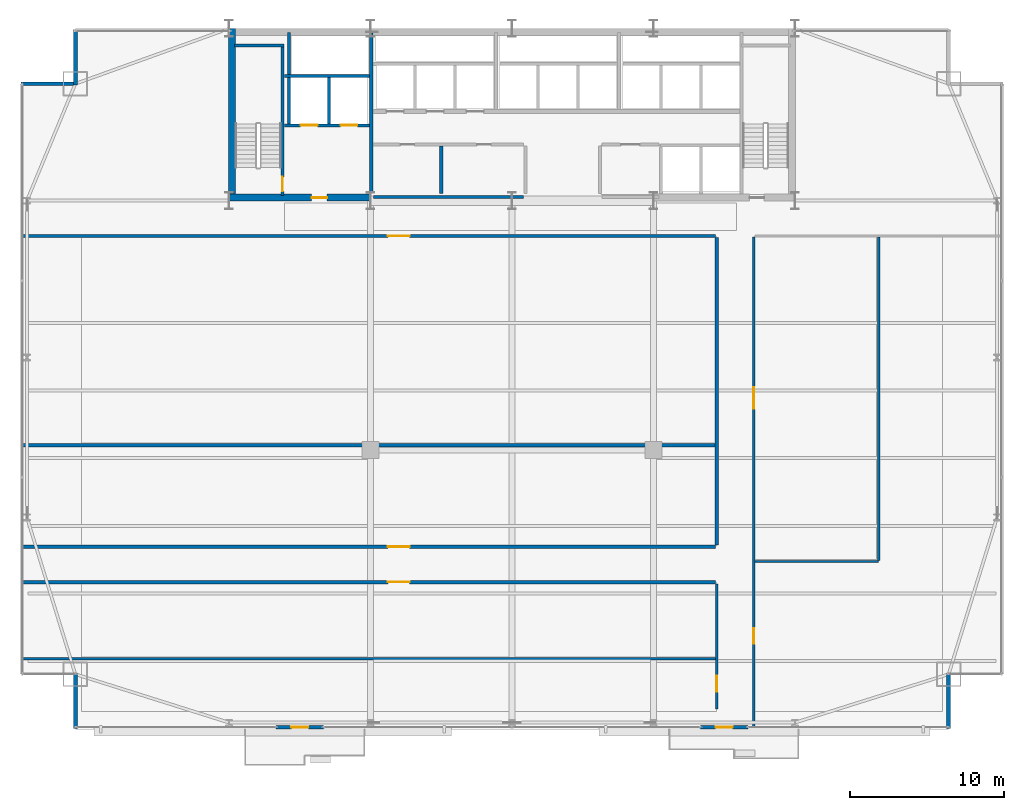
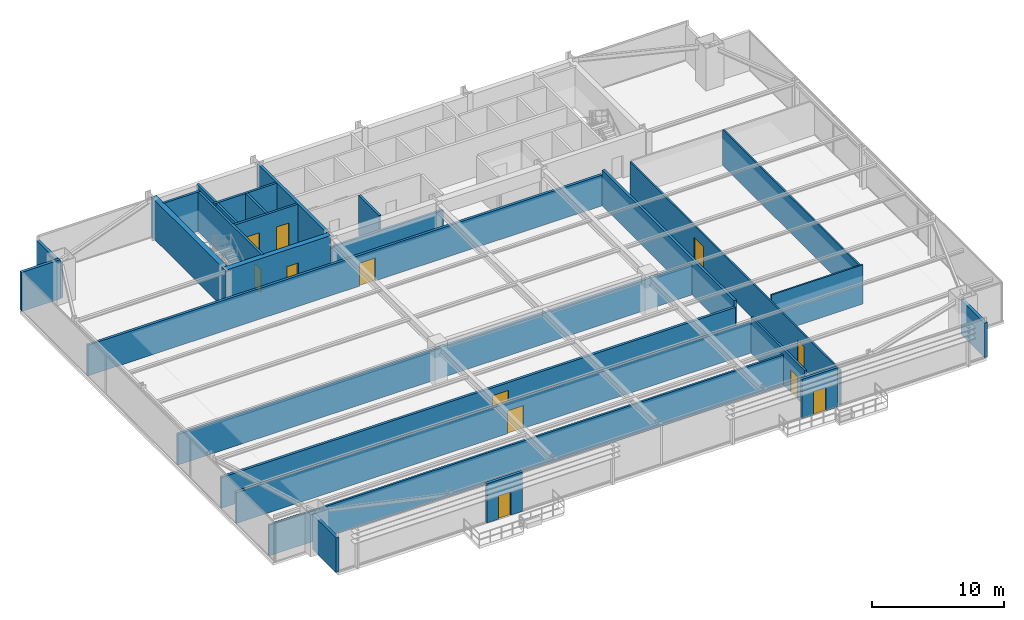
# One storey, part 27 of 31: 27 walls, 12 doors, 12 openings.
"""IFC4 building model written with IfcOpenShell, lengths in metres."""

from ifc_helpers import new_model, si_unit, direction, frame, frame_2d, origin, place, context, subcontext, project, spatial, rectangle, extrude, source, transform, mapped, material, layer, layer_set, type_object, type_shapes, element, fill, save


model = new_model("IFC4")

# Units and contexts
model_context = context("Model", 3, precision=1e-05, world=origin(), true_north=direction((0.0, 1.0)))
body_context = subcontext(model_context, "Body", "Model", "MODEL_VIEW")
ifc_project = project(units=[si_unit("LENGTHUNIT", "METRE"), si_unit("AREAUNIT", "SQUARE_METRE"), si_unit("VOLUMEUNIT", "CUBIC_METRE"), si_unit("PLANEANGLEUNIT", "RADIAN"), si_unit("MASSUNIT", "GRAM", prefix="KILO")], contexts=[model_context])

# Site, building, storey
site_placement = place(None, origin())
site = spatial("IfcSite", under=ifc_project, at=site_placement, CompositionType="ELEMENT")
building_placement = place(site_placement, origin())
building = spatial("IfcBuilding", under=site, at=building_placement, Name="Varnel Quay Broadcast Tower", CompositionType="ELEMENT")
storey_placement = place(building_placement, frame((0.0, 0.0, 39.300048828125)))
storey = spatial("IfcBuildingStorey", under=building, at=storey_placement, Name="L08", CompositionType="ELEMENT", Elevation=39.300048828125)

# Wall, opening, door
ifc_material_1 = material(Name="Concrete CSA A23.3 C50/60", Category="concrete")
ifc_layer_1 = layer(ifc_material_1, 0.199951171875, Name="Concrete CSA A23.3 C50/60")
ifc_layer_set_1 = layer_set([ifc_layer_1], Name="Concrete CSA A23.3 C50/60")
wall_type_1 = type_object("IfcWallType", Name="Wall_CoreShaftShear200", PredefinedType="SHEAR", material=ifc_layer_set_1)
wall_1_placement = place(storey_placement, frame((19.080078125, 35.949951171875, 0.0), z_axis=(0.0, 0.0, 1.0), x_axis=(0.0, 1.0, 0.0)))
wall_1 = element("IfcWall", 1, at=wall_1_placement, inside=storey, type_object=wall_type_1, Name="L08 Stair 1 East Structural Wall", PredefinedType="SHEAR", context=body_context, shape_type="SweptSolid", body=[
    extrude(rectangle(XDim=9.650146484375, YDim=0.199951171875, at=frame_2d((4.8251953125, 0.0))), origin(), (0.0, 0.0, 1.0), 3.64990234375),
])
opening_1_placement = place(wall_1_placement, frame((0.25, 0.0, 0.0)))
opening_1 = element("IfcOpeningElement", 2, at=opening_1_placement, cuts=wall_1, Name="Opening D-L08-S1", PredefinedType="OPENING", context=body_context, shape_type="SweptSolid", body=[
    extrude(rectangle(XDim=0.949951171875, YDim=2.10009765625, at=frame_2d((0.47509765625, 1.050048828125))), frame((0.0, 0.10986328125, 0.0), z_axis=(0.0, -1.0, 0.0), x_axis=(1.0, 0.0, 0.0)), (0.0, 0.0, 1.0), 0.219970703125),
])
ifc_material_2 = material(Name="Insulated Fire-Rated Hollow Steel Door", Category="steel")
door_type_1 = type_object("IfcDoorType", Name="Door_FireStair950", OperationType="NOTDEFINED", PredefinedType="DOOR", material=ifc_material_2)
shared_shape_1 = source(origin(), body_context, "Body", "SweptSolid", [
    extrude(rectangle(XDim=0.949951171875, YDim=2.10009765625, at=frame_2d((0.47509765625, 1.050048828125))), frame((0.0, 0.02490234375, 0.0), z_axis=(0.0, -1.0, 0.0), x_axis=(1.0, 0.0, 0.0)), (0.0, 0.0, 1.0), 0.050048828125),
])
type_shapes(door_type_1, [shared_shape_1])
door_1_placement = place(opening_1_placement, origin())
door_1 = element("IfcDoor", 3, at=door_1_placement, inside=storey, type_object=door_type_1, Name="L08 Stair 1 Fire Door", OperationType="SINGLE_SWING_RIGHT", OverallHeight=2.10009765625, OverallWidth=0.949951171875, PredefinedType="DOOR", context=body_context, shape_type="MappedRepresentation", body=[
    mapped(shared_shape_1, transform((0.0, 0.0, 0.0), x_axis=(1.0, 0.0, 0.0), y_axis=(0.0, 1.0, 0.0), z_axis=(0.0, 0.0, 1.0), scale=1.0)),
])
fill(opening_1, door_1)

# Wall
wall_2_placement = place(storey_placement, frame((15.949951171875, 45.679931640625, 0.0), z_axis=(0.0, 0.0, 1.0), x_axis=(1.0, 0.0, 0.0)))
element("IfcWall", 4, at=wall_2_placement, inside=storey, type_object=wall_type_1, Name="L08 Stair 1 North Structural Wall", PredefinedType="SHEAR", context=body_context, shape_type="SweptSolid", body=[
    extrude(rectangle(XDim=3.22998046875, YDim=0.199951171875, at=frame_2d((1.614990234375, 0.0))), origin(), (0.0, 0.0, 1.0), 3.64990234375),
])

# Wall, openings, doors
wall_3_placement = place(storey_placement, frame((19.199951171875, 40.5, 0.0), z_axis=(0.0, 0.0, 1.0), x_axis=(1.0, 0.0, 0.0)))
wall_3 = element("IfcWall", 5, at=wall_3_placement, inside=storey, type_object=wall_type_1, Name="L08 Firefighter Lift Shaft Front Wall", PredefinedType="SHEAR", context=body_context, shape_type="SweptSolid", body=[
    extrude(rectangle(XDim=5.52001953125, YDim=0.199951171875, at=frame_2d((2.760009765625, 0.0))), origin(), (0.0, 0.0, 1.0), 3.64990234375),
])
opening_2_placement = place(wall_3_placement, frame((1.050048828125, 0.0, 0.0)))
opening_2 = element("IfcOpeningElement", 6, at=opening_2_placement, cuts=wall_3, Name="Opening LD-L08-FE1", PredefinedType="OPENING", context=body_context, shape_type="SweptSolid", body=[
    extrude(rectangle(XDim=1.10009765625, YDim=2.179931640625, at=frame_2d((0.550048828125, 1.08984375))), frame((0.0, 0.10986328125, 0.0), z_axis=(0.0, -1.0, 0.0), x_axis=(1.0, 0.0, 0.0)), (0.0, 0.0, 1.0), 0.219970703125),
])
opening_3_placement = place(wall_3_placement, frame((3.64990234375, 0.0, 0.0)))
opening_3 = element("IfcOpeningElement", 7, at=opening_3_placement, cuts=wall_3, Name="Opening LD-L08-FE2", PredefinedType="OPENING", context=body_context, shape_type="SweptSolid", body=[
    extrude(rectangle(XDim=1.10009765625, YDim=2.179931640625, at=frame_2d((0.550048828125, 1.08984375))), frame((0.0, 0.10986328125, 0.0), z_axis=(0.0, -1.0, 0.0), x_axis=(1.0, 0.0, 0.0)), (0.0, 0.0, 1.0), 0.219970703125),
])
ifc_material_3 = material(Name="Brushed Bronze-Stainless Lift Car & Sliding Doors", Category="steel")
door_type_2 = type_object("IfcDoorType", Name="Door_LiftLanding1100", OperationType="SLIDING_TO_LEFT", PredefinedType="DOOR", material=ifc_material_3)
shared_shape_2 = source(origin(), body_context, "Body", "SweptSolid", [
    extrude(rectangle(XDim=1.10009765625, YDim=2.179931640625, at=frame_2d((0.550048828125, 1.08984375))), frame((0.0, 0.02490234375, 0.0), z_axis=(0.0, -1.0, 0.0), x_axis=(1.0, 0.0, 0.0)), (0.0, 0.0, 1.0), 0.050048828125),
])
type_shapes(door_type_2, [shared_shape_2])
door_2_placement = place(opening_2_placement, frame((1.10009765625, 0.0, 0.0), z_axis=(0.0, 0.0, 1.0), x_axis=(-1.0, 0.0, 0.0)))
door_2 = element("IfcDoor", 8, at=door_2_placement, inside=storey, type_object=door_type_2, Name="L08 Firefighter Lift FE-01 Landing Door", OperationType="SLIDING_TO_LEFT", OverallHeight=2.179931640625, OverallWidth=1.10009765625, PredefinedType="DOOR", context=body_context, shape_type="MappedRepresentation", body=[
    mapped(shared_shape_2, transform((0.0, 0.0, 0.0), x_axis=(1.0, 0.0, 0.0), y_axis=(0.0, 1.0, 0.0), z_axis=(0.0, 0.0, 1.0), scale=1.0)),
])
fill(opening_2, door_2)
door_3_placement = place(opening_3_placement, frame((1.10009765625, 0.0, 0.0), z_axis=(0.0, 0.0, 1.0), x_axis=(-1.0, 0.0, 0.0)))
door_3 = element("IfcDoor", 9, at=door_3_placement, inside=storey, type_object=door_type_2, Name="L08 Firefighter Lift FE-02 Landing Door", OperationType="SLIDING_TO_RIGHT", OverallHeight=2.179931640625, OverallWidth=1.10009765625, PredefinedType="DOOR", context=body_context, shape_type="MappedRepresentation", body=[
    mapped(shared_shape_2, transform((0.0, 0.0, 0.0), x_axis=(1.0, 0.0, 0.0), y_axis=(0.0, 1.0, 0.0), z_axis=(0.0, 0.0, 1.0), scale=1.0)),
])
fill(opening_3, door_3)

# Walls
wall_4_placement = place(storey_placement, frame((19.199951171875, 43.699951171875, 0.0), z_axis=(0.0, 0.0, 1.0), x_axis=(1.0, 0.0, 0.0)))
element("IfcWall", 10, at=wall_4_placement, inside=storey, type_object=wall_type_1, Name="L08 Firefighter Lift Shaft Rear Wall", PredefinedType="SHEAR", context=body_context, shape_type="SweptSolid", body=[
    extrude(rectangle(XDim=5.52001953125, YDim=0.199951171875, at=frame_2d((2.760009765625, 0.0))), origin(), (0.0, 0.0, 1.0), 3.64990234375),
])
wall_5_placement = place(storey_placement, frame((22.10009765625, 40.60009765625, 0.0), z_axis=(0.0, 0.0, 1.0), x_axis=(0.0, 1.0, 0.0)))
element("IfcWall", 11, at=wall_5_placement, inside=storey, type_object=wall_type_1, Name="L08 Firefighter Lift Shaft Divider", PredefinedType="SHEAR", context=body_context, shape_type="SweptSolid", body=[
    extrude(rectangle(XDim=3.0, YDim=0.199951171875, at=frame_2d((1.5, 0.0))), origin(), (0.0, 0.0, 1.0), 3.64990234375),
])
wall_6_placement = place(storey_placement, frame((19.5, 40.60009765625, 0.0), z_axis=(0.0, 0.0, 1.0), x_axis=(0.0, 1.0, 0.0)))
element("IfcWall", 12, at=wall_6_placement, inside=storey, type_object=wall_type_1, Name="L08 Firefighter Lift Shaft West Wall", PredefinedType="SHEAR", context=body_context, shape_type="SweptSolid", body=[
    extrude(rectangle(XDim=5.949951171875, YDim=0.199951171875, at=frame_2d((2.97509765625, 0.0))), origin(), (0.0, 0.0, 1.0), 3.64990234375),
])
ifc_layer_2 = layer(ifc_material_1, 0.25, Name="Concrete CSA A23.3 C50/60")
ifc_layer_set_2 = layer_set([ifc_layer_2], Name="Concrete CSA A23.3 C50/60")
wall_type_2 = type_object("IfcWallType", Name="Wall_CoreShaftShear250", PredefinedType="SHEAR", material=ifc_layer_set_2)
wall_7_placement = place(storey_placement, frame((24.85009765625, 36.050048828125, 0.0), z_axis=(0.0, 0.0, 1.0), x_axis=(0.0, 1.0, 0.0)))
element("IfcWall", 13, at=wall_7_placement, inside=storey, type_object=wall_type_2, Name="L08 Firefighting Lobby East Structural Wall", PredefinedType="SHEAR", context=body_context, shape_type="SweptSolid", body=[
    extrude(rectangle(XDim=10.449951171875, YDim=0.25, at=frame_2d((5.22509765625, 0.0))), origin(), (0.0, 0.0, 1.0), 3.64990234375),
])
ifc_material_4 = material(Name="Concrete CSA A23.3 C60/75", Category="concrete")
ifc_layer_3 = layer(ifc_material_4, 0.449951171875, Name="Concrete CSA A23.3 C60/75")
ifc_layer_set_3 = layer_set([ifc_layer_3], Name="Concrete CSA A23.3 C60/75")
wall_type_3 = type_object("IfcWallType", Name="Wall_CoreShearInt450", PredefinedType="SHEAR", material=ifc_layer_set_3)
wall_8_placement = place(storey_placement, frame((15.794921875, 35.570068359375, 0.0), z_axis=(0.0, 0.0, 1.0), x_axis=(0.0, 1.0, 0.0)))
element("IfcWall", 14, at=wall_8_placement, inside=storey, type_object=wall_type_3, Name="L08 West Core Shear Wall", PredefinedType="SHEAR", context=body_context, shape_type="SweptSolid", body=[
    extrude(rectangle(XDim=11.22998046875, YDim=0.449951171875, at=frame_2d((5.614990234375, 0.0))), origin(), (0.0, 0.0, 1.0), 3.64990234375),
])

# Wall, opening, door
wall_9_placement = place(storey_placement, frame((15.570068359375, 35.794921875, 0.0), z_axis=(0.0, 0.0, 1.0), x_axis=(1.0, 0.0, 0.0)))
wall_9 = element("IfcWall", 15, at=wall_9_placement, inside=storey, type_object=wall_type_3, Name="L08 South-West Core Shear Wall", PredefinedType="SHEAR", context=body_context, shape_type="SweptSolid", body=[
    extrude(rectangle(XDim=9.22998046875, YDim=0.449951171875, at=frame_2d((4.614990234375, 0.0))), origin(), (0.0, 0.0, 1.0), 3.64990234375),
])
opening_4_placement = place(wall_9_placement, frame((5.39990234375, 0.0, 0.0)))
opening_4 = element("IfcOpeningElement", 16, at=opening_4_placement, cuts=wall_9, Name="Opening D-L08-FFL", PredefinedType="OPENING", context=body_context, shape_type="SweptSolid", body=[
    extrude(rectangle(XDim=1.0, YDim=2.10009765625, at=frame_2d((0.5, 1.050048828125))), frame((0.0, 0.23486328125, 0.0), z_axis=(0.0, -1.0, 0.0), x_axis=(1.0, 0.0, 0.0)), (0.0, 0.0, 1.0), 0.469970703125),
])
door_type_3 = type_object("IfcDoorType", Name="Door_FireLobby1000", OperationType="NOTDEFINED", PredefinedType="DOOR", material=ifc_material_2)
shared_shape_3 = source(origin(), body_context, "Body", "SweptSolid", [
    extrude(rectangle(XDim=1.0, YDim=2.10009765625, at=frame_2d((0.5, 1.050048828125))), frame((0.0, 0.02490234375, 0.0), z_axis=(0.0, -1.0, 0.0), x_axis=(1.0, 0.0, 0.0)), (0.0, 0.0, 1.0), 0.050048828125),
])
type_shapes(door_type_3, [shared_shape_3])
door_4_placement = place(opening_4_placement, origin())
door_4 = element("IfcDoor", 17, at=door_4_placement, inside=storey, type_object=door_type_3, Name="L08 Firefighting Lobby Door", OperationType="SINGLE_SWING_LEFT", OverallHeight=2.10009765625, OverallWidth=1.0, PredefinedType="DOOR", context=body_context, shape_type="MappedRepresentation", body=[
    mapped(shared_shape_3, transform((0.0, 0.0, 0.0), x_axis=(1.0, 0.0, 0.0), y_axis=(0.0, 1.0, 0.0), z_axis=(0.0, 0.0, 1.0), scale=1.0)),
])
fill(opening_4, door_4)

ifc_material_5 = material(Name="Precast Architectural Concrete C40/50", Category="concrete")
ifc_layer_4 = layer(ifc_material_5, 0.25, Name="Precast Architectural Concrete C40/50")
ifc_layer_set_4 = layer_set([ifc_layer_4], Name="Precast Architectural Concrete C40/50")
wall_type_4 = type_object("IfcWallType", Name="Wall_ExtTerrace250", PredefinedType="SOLIDWALL", material=ifc_layer_set_4)
wall_10_placement = place(storey_placement, frame((18.64990234375, 1.35009765625, 0.0), z_axis=(0.0, 0.0, 1.0), x_axis=(1.0, 0.0, 0.0)))
wall_10 = element("IfcWall", 18, at=wall_10_placement, inside=storey, type_object=wall_type_4, Name="L08 Terrace Access Wall 1", PredefinedType="SOLIDWALL", context=body_context, shape_type="SweptSolid", body=[
    extrude(rectangle(XDim=3.10009765625, YDim=0.25, at=frame_2d((1.550048828125, 0.0))), origin(), (0.0, 0.0, 1.0), 3.6298828125),
])
opening_5_placement = place(wall_10_placement, frame((1.0, 0.0, 0.0)))
opening_5 = element("IfcOpeningElement", 19, at=opening_5_placement, cuts=wall_10, Name="Opening TD-081", PredefinedType="OPENING", context=body_context, shape_type="SweptSolid", body=[
    extrude(rectangle(XDim=1.10009765625, YDim=2.14990234375, at=frame_2d((0.550048828125, 1.074951171875))), frame((0.0, 0.135009765625, 0.0), z_axis=(0.0, -1.0, 0.0), x_axis=(1.0, 0.0, 0.0)), (0.0, 0.0, 1.0), 0.27001953125),
])
ifc_material_6 = material(Name="Anodised Bronze Aluminium 6063-T6", Category="aluminium")
door_type_4 = type_object("IfcDoorType", Name="Door_ExtTerrace1100", OperationType="NOTDEFINED", PredefinedType="DOOR", material=ifc_material_6)
shared_shape_4 = source(origin(), body_context, "Body", "SweptSolid", [
    extrude(rectangle(XDim=1.10009765625, YDim=2.14990234375, at=frame_2d((0.550048828125, 1.074951171875))), frame((0.0, 0.02490234375, 0.0), z_axis=(0.0, -1.0, 0.0), x_axis=(1.0, 0.0, 0.0)), (0.0, 0.0, 1.0), 0.050048828125),
])
type_shapes(door_type_4, [shared_shape_4])
door_5_placement = place(opening_5_placement, frame((1.10009765625, 0.0, 0.0), z_axis=(0.0, 0.0, 1.0), x_axis=(-1.0, 0.0, 0.0)))
door_5 = element("IfcDoor", 20, at=door_5_placement, inside=storey, type_object=door_type_4, Name="L08 Terrace Door TD-081", OperationType="SINGLE_SWING_LEFT", OverallHeight=2.14990234375, OverallWidth=1.10009765625, PredefinedType="DOOR", context=body_context, shape_type="MappedRepresentation", body=[
    mapped(shared_shape_4, transform((0.0, 0.0, 0.0), x_axis=(1.0, 0.0, 0.0), y_axis=(0.0, 1.0, 0.0), z_axis=(0.0, 0.0, 1.0), scale=1.0)),
])
fill(opening_5, door_5)

wall_11_placement = place(storey_placement, frame((46.25, 1.35009765625, 0.0), z_axis=(0.0, 0.0, 1.0), x_axis=(1.0, 0.0, 0.0)))
wall_11 = element("IfcWall", 21, at=wall_11_placement, inside=storey, type_object=wall_type_4, Name="L08 Terrace Access Wall 2", PredefinedType="SOLIDWALL", context=body_context, shape_type="SweptSolid", body=[
    extrude(rectangle(XDim=3.10009765625, YDim=0.25, at=frame_2d((1.550048828125, 0.0))), origin(), (0.0, 0.0, 1.0), 3.6298828125),
])
opening_6_placement = place(wall_11_placement, frame((1.0, 0.0, 0.0)))
opening_6 = element("IfcOpeningElement", 22, at=opening_6_placement, cuts=wall_11, Name="Opening TD-082", PredefinedType="OPENING", context=body_context, shape_type="SweptSolid", body=[
    extrude(rectangle(XDim=1.10009765625, YDim=2.14990234375, at=frame_2d((0.550048828125, 1.074951171875))), frame((0.0, 0.135009765625, 0.0), z_axis=(0.0, -1.0, 0.0), x_axis=(1.0, 0.0, 0.0)), (0.0, 0.0, 1.0), 0.27001953125),
])
door_6_placement = place(opening_6_placement, frame((1.10009765625, 0.0, 0.0), z_axis=(0.0, 0.0, 1.0), x_axis=(-1.0, 0.0, 0.0)))
door_6 = element("IfcDoor", 23, at=door_6_placement, inside=storey, type_object=door_type_4, Name="L08 Terrace Door TD-082", OperationType="SINGLE_SWING_RIGHT", OverallHeight=2.14990234375, OverallWidth=1.10009765625, PredefinedType="DOOR", context=body_context, shape_type="MappedRepresentation", body=[
    mapped(shared_shape_4, transform((0.0, 0.0, 0.0), x_axis=(1.0, 0.0, 0.0), y_axis=(0.0, 1.0, 0.0), z_axis=(0.0, 0.0, 1.0), scale=1.0)),
])
fill(opening_6, door_6)

# Walls
for number, where, z_axis, x_axis, name in (
    (24, (5.60009765625, 1.280029296875, 0.0), (0.0, 0.0, 1.0), (0.0, 1.0, 0.0), "L08 Mega-Column Notch Cladding Wall NSW2"),
    (25, (62.39990234375, 1.280029296875, 0.0), (0.0, 0.0, 1.0), (0.0, 1.0, 0.0), "L08 Mega-Column Notch Cladding Wall NSE2"),
):
    element("IfcWall", number, at=place(storey_placement, frame(where, z_axis=z_axis, x_axis=x_axis)), inside=storey, type_object=wall_type_4, Name=name, PredefinedType="SOLIDWALL", context=body_context, shape_type="SweptSolid", body=[
        extrude(rectangle(XDim=3.599853515625, YDim=0.25, at=frame_2d((1.7998046875, 0.0))), origin(), (0.0, 0.0, 1.0), 3.2080078125),
    ])
wall_12_placement = place(storey_placement, frame((2.080078125, 43.199951171875, 0.0), z_axis=(0.0, 0.0, 1.0), x_axis=(1.0, 0.0, 0.0)))
element("IfcWall", 26, at=wall_12_placement, inside=storey, type_object=wall_type_4, Name="L08 Mega-Column Notch Cladding Wall NNW1", PredefinedType="SOLIDWALL", context=body_context, shape_type="SweptSolid", body=[
    extrude(rectangle(XDim=3.389892578125, YDim=0.25, at=frame_2d((1.69482421875, 0.0))), origin(), (0.0, 0.0, 1.0), 3.6298828125),
])
wall_13_placement = place(storey_placement, frame((5.60009765625, 43.1201171875, 0.0), z_axis=(0.0, 0.0, 1.0), x_axis=(0.0, 1.0, 0.0)))
element("IfcWall", 27, at=wall_13_placement, inside=storey, type_object=wall_type_4, Name="L08 Mega-Column Notch Cladding Wall NNW2", PredefinedType="SOLIDWALL", context=body_context, shape_type="SweptSolid", body=[
    extrude(rectangle(XDim=3.599853515625, YDim=0.25, at=frame_2d((1.7998046875, 0.0))), origin(), (0.0, 0.0, 1.0), 3.2080078125),
])
ifc_material_7 = material(Name="Steel-Stud Fire-Rated Acoustic Gypsum Partition Assembly", Category="steel")
ifc_layer_5 = layer(ifc_material_7, 0.139892578125, Name="Steel-Stud Fire-Rated Acoustic Gypsum Partition Assembly")
ifc_layer_set_5 = layer_set([ifc_layer_5], Name="Steel-Stud Fire-Rated Acoustic Gypsum Partition Assembly")
wall_type_5 = type_object("IfcWallType", Name="Wall_Partition140", PredefinedType="PARTITIONING", material=ifc_layer_set_5)
wall_14_placement = place(storey_placement, frame((57.85009765625, 12.199951171875, 0.0), z_axis=(0.0, 0.0, 1.0), x_axis=(0.0, 1.0, 0.0)))
element("IfcWall", 28, at=wall_14_placement, inside=storey, type_object=wall_type_5, Name="L08 Talent Lounge 5 Partition 16", PredefinedType="PARTITIONING", context=body_context, shape_type="SweptSolid", body=[
    extrude(rectangle(XDim=21.030029296875, YDim=0.139892578125, at=frame_2d((10.51513671875, 0.0))), origin(), (0.0, 0.0, 1.0), 3.322021484375),
])
wall_15_placement = place(storey_placement, frame((49.820068359375, 12.1298828125, 0.0), z_axis=(0.0, 0.0, 1.0), x_axis=(1.0, 0.0, 0.0)))
element("IfcWall", 29, at=wall_15_placement, inside=storey, type_object=wall_type_5, Name="L08 Talent Lounge 5 Partition 17", PredefinedType="PARTITIONING", context=body_context, shape_type="SweptSolid", body=[
    extrude(rectangle(XDim=8.030029296875, YDim=0.139892578125, at=frame_2d((4.01513671875, 0.0))), origin(), (0.0, 0.0, 1.0), 3.6298828125),
])

# Wall, openings, doors
wall_16_placement = place(storey_placement, frame((49.719970703125, 1.3798828125, 0.0), z_axis=(0.0, 0.0, 1.0), x_axis=(0.0, 1.0, 0.0)))
wall_16 = element("IfcWall", 30, at=wall_16_placement, inside=storey, type_object=wall_type_5, Name="L08 Talent Lounge 5 Partition 18", PredefinedType="PARTITIONING", context=body_context, shape_type="SweptSolid", body=[
    extrude(rectangle(XDim=31.85009765625, YDim=0.139892578125, at=frame_2d((15.925048828125, 0.0))), origin(), (0.0, 0.0, 1.0), 3.2080078125),
])
opening_7_placement = place(wall_16_placement, frame((5.405029296875, 0.0, 0.0)))
opening_7 = element("IfcOpeningElement", 31, at=opening_7_placement, cuts=wall_16, Name="Opening D-L08-08", PredefinedType="OPENING", context=body_context, shape_type="SweptSolid", body=[
    extrude(rectangle(XDim=1.0, YDim=2.10009765625, at=frame_2d((0.5, 1.050048828125))), frame((0.0, 0.080078125, 0.0), z_axis=(0.0, -1.0, 0.0), x_axis=(1.0, 0.0, 0.0)), (0.0, 0.0, 1.0), 0.159912109375),
])
opening_8_placement = place(wall_16_placement, frame((20.68505859375, 0.0, 0.0)))
opening_8 = element("IfcOpeningElement", 32, at=opening_8_placement, cuts=wall_16, Name="Opening D-L08-09", PredefinedType="OPENING", context=body_context, shape_type="SweptSolid", body=[
    extrude(rectangle(XDim=1.39990234375, YDim=2.1201171875, at=frame_2d((0.699951171875, 1.06005859375))), frame((0.0, 0.080078125, 0.0), z_axis=(0.0, -1.0, 0.0), x_axis=(1.0, 0.0, 0.0)), (0.0, 0.0, 1.0), 0.159912109375),
])
ifc_material_8 = material(Name="Solid-Core Fire-Rated Acoustic Oak Veneer Door", Category="wood")
door_type_5 = type_object("IfcDoorType", Name="Door_Exec1000", OperationType="NOTDEFINED", PredefinedType="DOOR", material=ifc_material_8)
shared_shape_5 = source(origin(), body_context, "Body", "SweptSolid", [
    extrude(rectangle(XDim=1.0, YDim=2.10009765625, at=frame_2d((0.5, 1.050048828125))), frame((0.0, 0.02490234375, 0.0), z_axis=(0.0, -1.0, 0.0), x_axis=(1.0, 0.0, 0.0)), (0.0, 0.0, 1.0), 0.050048828125),
])
type_shapes(door_type_5, [shared_shape_5])
door_7_placement = place(opening_7_placement, frame((1.0, 0.0, 0.0), z_axis=(0.0, 0.0, 1.0), x_axis=(-1.0, 0.0, 0.0)))
door_7 = element("IfcDoor", 33, at=door_7_placement, inside=storey, type_object=door_type_5, Name="L08 Talent Lounge 5 Door D-L08-08", OperationType="SINGLE_SWING_LEFT", OverallHeight=2.10009765625, OverallWidth=1.0, PredefinedType="DOOR", context=body_context, shape_type="MappedRepresentation", body=[
    mapped(shared_shape_5, transform((0.0, 0.0, 0.0), x_axis=(1.0, 0.0, 0.0), y_axis=(0.0, 1.0, 0.0), z_axis=(0.0, 0.0, 1.0), scale=1.0)),
])
fill(opening_7, door_7)
door_type_6 = type_object("IfcDoorType", Name="Door_Gallery1400", OperationType="DOUBLE_DOOR_SINGLE_SWING", PredefinedType="DOOR", material=ifc_material_8)
shared_shape_6 = source(origin(), body_context, "Body", "SweptSolid", [
    extrude(rectangle(XDim=1.39990234375, YDim=2.1201171875, at=frame_2d((0.699951171875, 1.06005859375))), frame((0.0, 0.02490234375, 0.0), z_axis=(0.0, -1.0, 0.0), x_axis=(1.0, 0.0, 0.0)), (0.0, 0.0, 1.0), 0.050048828125),
])
type_shapes(door_type_6, [shared_shape_6])
door_8_placement = place(opening_8_placement, frame((1.39990234375, 0.0, 0.0), z_axis=(0.0, 0.0, 1.0), x_axis=(-1.0, 0.0, 0.0)))
door_8 = element("IfcDoor", 34, at=door_8_placement, inside=storey, type_object=door_type_6, Name="L08 Foley Sound Studio 6 Door D-L08-09", OperationType="DOUBLE_DOOR_SINGLE_SWING", OverallHeight=2.1201171875, OverallWidth=1.39990234375, PredefinedType="DOOR", context=body_context, shape_type="MappedRepresentation", body=[
    mapped(shared_shape_6, transform((0.0, 0.0, 0.0), x_axis=(1.0, 0.0, 0.0), y_axis=(0.0, 1.0, 0.0), z_axis=(0.0, 0.0, 1.0), scale=1.0)),
])
fill(opening_8, door_8)

# Wall, opening, door
ifc_layer_6 = layer(ifc_material_7, 0.175048828125, Name="Steel-Stud Fire-Rated Acoustic Gypsum Partition Assembly")
ifc_layer_set_6 = layer_set([ifc_layer_6], Name="Steel-Stud Fire-Rated Acoustic Gypsum Partition Assembly")
wall_type_6 = type_object("IfcWallType", Name="Wall_Partition175", PredefinedType="PARTITIONING", material=ifc_layer_set_6)
wall_17_placement = place(storey_placement, frame((47.320068359375, 2.550048828125, 0.0), z_axis=(0.0, 0.0, 1.0), x_axis=(0.0, 1.0, 0.0)))
wall_17 = element("IfcWall", 35, at=wall_17_placement, inside=storey, type_object=wall_type_6, Name="L08 Broadcast Seminar Room 1 Partition 8", PredefinedType="PARTITIONING", context=body_context, shape_type="SweptSolid", body=[
    extrude(rectangle(XDim=8.126953125, YDim=0.175048828125, at=frame_2d((4.0634765625, 0.0))), origin(), (0.0, 0.0, 1.0), 3.322021484375),
])
opening_9_placement = place(wall_17_placement, frame((1.10009765625, 0.0, 0.0)))
opening_9 = element("IfcOpeningElement", 36, at=opening_9_placement, cuts=wall_17, Name="Opening D-L08-04", PredefinedType="OPENING", context=body_context, shape_type="SweptSolid", body=[
    extrude(rectangle(XDim=1.050048828125, YDim=2.10009765625, at=frame_2d((0.52490234375, 1.050048828125))), frame((0.0, 0.09765625, 0.0), z_axis=(0.0, -1.0, 0.0), x_axis=(1.0, 0.0, 0.0)), (0.0, 0.0, 1.0), 0.195068359375),
])
door_type_7 = type_object("IfcDoorType", Name="Door_Meeting1050", OperationType="NOTDEFINED", PredefinedType="DOOR", material=ifc_material_8)
shared_shape_7 = source(origin(), body_context, "Body", "SweptSolid", [
    extrude(rectangle(XDim=1.050048828125, YDim=2.10009765625, at=frame_2d((0.52490234375, 1.050048828125))), frame((0.0, 0.02490234375, 0.0), z_axis=(0.0, -1.0, 0.0), x_axis=(1.0, 0.0, 0.0)), (0.0, 0.0, 1.0), 0.050048828125),
])
type_shapes(door_type_7, [shared_shape_7])
door_9_placement = place(opening_9_placement, origin())
door_9 = element("IfcDoor", 37, at=door_9_placement, inside=storey, type_object=door_type_7, Name="L08 Broadcast Seminar Room 1 Door D-L08-04", OperationType="SINGLE_SWING_RIGHT", OverallHeight=2.10009765625, OverallWidth=1.050048828125, PredefinedType="DOOR", context=body_context, shape_type="MappedRepresentation", body=[
    mapped(shared_shape_7, transform((0.0, 0.0, 0.0), x_axis=(1.0, 0.0, 0.0), y_axis=(0.0, 1.0, 0.0), z_axis=(0.0, 0.0, 1.0), scale=1.0)),
])
fill(opening_9, door_9)

# Wall
wall_18_placement = place(storey_placement, frame((2.179931640625, 5.800048828125, 0.0), z_axis=(0.0, 0.0, 1.0), x_axis=(1.0, 0.0, 0.0)))
element("IfcWall", 38, at=wall_18_placement, inside=storey, type_object=wall_type_6, Name="L08 Broadcast Seminar Room 1 Partition 9", PredefinedType="PARTITIONING", context=body_context, shape_type="SweptSolid", body=[
    extrude(rectangle(XDim=45.0400390625, YDim=0.175048828125, at=frame_2d((22.52001953125, 0.0))), origin(), (0.0, 0.0, 1.0), 2.85205078125),
])

# Wall, opening, door
ifc_layer_7 = layer(ifc_material_7, 0.22509765625, Name="Steel-Stud Fire-Rated Acoustic Gypsum Partition Assembly")
ifc_layer_set_7 = layer_set([ifc_layer_7], Name="Steel-Stud Fire-Rated Acoustic Gypsum Partition Assembly")
wall_type_7 = type_object("IfcWallType", Name="Wall_Partition225", PredefinedType="PARTITIONING", material=ifc_layer_set_7)
wall_19_placement = place(storey_placement, frame((2.179931640625, 10.7900390625, 0.0), z_axis=(0.0, 0.0, 1.0), x_axis=(1.0, 0.0, 0.0)))
wall_19 = element("IfcWall", 39, at=wall_19_placement, inside=storey, type_object=wall_type_7, Name="L08 Podcast Recording Studio 2 Partition 10", PredefinedType="PARTITIONING", context=body_context, shape_type="SweptSolid", body=[
    extrude(rectangle(XDim=45.0400390625, YDim=0.22509765625, at=frame_2d((22.52001953125, 0.0))), origin(), (0.0, 0.0, 1.0), 2.85205078125),
])
opening_10_placement = place(wall_19_placement, frame((23.7548828125, 0.0, 0.0)))
opening_10 = element("IfcOpeningElement", 40, at=opening_10_placement, cuts=wall_19, Name="Opening D-L08-05", PredefinedType="OPENING", context=body_context, shape_type="SweptSolid", body=[
    extrude(rectangle(XDim=1.39990234375, YDim=2.1201171875, at=frame_2d((0.699951171875, 1.06005859375))), frame((0.0, 0.12255859375, 0.0), z_axis=(0.0, -1.0, 0.0), x_axis=(1.0, 0.0, 0.0)), (0.0, 0.0, 1.0), 0.2451171875),
])
door_10_placement = place(opening_10_placement, frame((1.39990234375, 0.0, 0.0), z_axis=(0.0, 0.0, 1.0), x_axis=(-1.0, 0.0, 0.0)))
door_10 = element("IfcDoor", 41, at=door_10_placement, inside=storey, type_object=door_type_6, Name="L08 Podcast Recording Studio 2 Door D-L08-05", OperationType="DOUBLE_DOOR_SINGLE_SWING", OverallHeight=2.1201171875, OverallWidth=1.39990234375, PredefinedType="DOOR", context=body_context, shape_type="MappedRepresentation", body=[
    mapped(shared_shape_6, transform((0.0, 0.0, 0.0), x_axis=(1.0, 0.0, 0.0), y_axis=(0.0, 1.0, 0.0), z_axis=(0.0, 0.0, 1.0), scale=1.0)),
])
fill(opening_10, door_10)

wall_20_placement = place(storey_placement, frame((2.179931640625, 13.090087890625, 0.0), z_axis=(0.0, 0.0, 1.0), x_axis=(1.0, 0.0, 0.0)))
wall_20 = element("IfcWall", 42, at=wall_20_placement, inside=storey, type_object=wall_type_7, Name="L08 Foley Sound Studio 3 Partition 11", PredefinedType="PARTITIONING", context=body_context, shape_type="SweptSolid", body=[
    extrude(rectangle(XDim=45.0400390625, YDim=0.22509765625, at=frame_2d((22.52001953125, 0.0))), origin(), (0.0, 0.0, 1.0), 2.85205078125),
])
opening_11_placement = place(wall_20_placement, frame((23.7548828125, 0.0, 0.0)))
opening_11 = element("IfcOpeningElement", 43, at=opening_11_placement, cuts=wall_20, Name="Opening D-L08-06", PredefinedType="OPENING", context=body_context, shape_type="SweptSolid", body=[
    extrude(rectangle(XDim=1.39990234375, YDim=2.1201171875, at=frame_2d((0.699951171875, 1.06005859375))), frame((0.0, 0.12255859375, 0.0), z_axis=(0.0, -1.0, 0.0), x_axis=(1.0, 0.0, 0.0)), (0.0, 0.0, 1.0), 0.2451171875),
])
door_11_placement = place(opening_11_placement, origin())
door_11 = element("IfcDoor", 44, at=door_11_placement, inside=storey, type_object=door_type_6, Name="L08 Foley Sound Studio 3 Door D-L08-06", OperationType="DOUBLE_DOOR_SINGLE_SWING", OverallHeight=2.1201171875, OverallWidth=1.39990234375, PredefinedType="DOOR", context=body_context, shape_type="MappedRepresentation", body=[
    mapped(shared_shape_6, transform((0.0, 0.0, 0.0), x_axis=(1.0, 0.0, 0.0), y_axis=(0.0, 1.0, 0.0), z_axis=(0.0, 0.0, 1.0), scale=1.0)),
])
fill(opening_11, door_11)

# Walls
wall_21_placement = place(storey_placement, frame((47.320068359375, 13.202880859375, 0.0), z_axis=(0.0, 0.0, 1.0), x_axis=(0.0, 1.0, 0.0)))
element("IfcWall", 45, at=wall_21_placement, inside=storey, type_object=wall_type_7, Name="L08 Foley Sound Studio 3 Partition 12", PredefinedType="PARTITIONING", context=body_context, shape_type="SweptSolid", body=[
    extrude(rectangle(XDim=19.985107421875, YDim=0.22509765625, at=frame_2d((9.99267578125, 0.0))), origin(), (0.0, 0.0, 1.0), 3.322021484375),
])
wall_22_placement = place(storey_placement, frame((2.179931640625, 19.68994140625, 0.0), z_axis=(0.0, 0.0, 1.0), x_axis=(1.0, 0.0, 0.0)))
element("IfcWall", 46, at=wall_22_placement, inside=storey, type_object=wall_type_7, Name="L08 Foley Sound Studio 3 Partition 13", PredefinedType="PARTITIONING", context=body_context, shape_type="SweptSolid", body=[
    extrude(rectangle(XDim=45.0400390625, YDim=0.22509765625, at=frame_2d((22.52001953125, 0.0))), origin(), (0.0, 0.0, 1.0), 2.85205078125),
])

# Wall, opening, door
wall_23_placement = place(storey_placement, frame((2.179931640625, 33.300048828125, 0.0), z_axis=(0.0, 0.0, 1.0), x_axis=(1.0, 0.0, 0.0)))
wall_23 = element("IfcWall", 47, at=wall_23_placement, inside=storey, type_object=wall_type_7, Name="L08 Voice Booth 4 Partition 14", PredefinedType="PARTITIONING", context=body_context, shape_type="SweptSolid", body=[
    extrude(rectangle(XDim=45.0400390625, YDim=0.22509765625, at=frame_2d((22.52001953125, 0.0))), origin(), (0.0, 0.0, 1.0), 2.85205078125),
])
opening_12_placement = place(wall_23_placement, frame((23.7548828125, 0.0, 0.0)))
opening_12 = element("IfcOpeningElement", 48, at=opening_12_placement, cuts=wall_23, Name="Opening D-L08-07", PredefinedType="OPENING", context=body_context, shape_type="SweptSolid", body=[
    extrude(rectangle(XDim=1.39990234375, YDim=2.1201171875, at=frame_2d((0.699951171875, 1.06005859375))), frame((0.0, 0.12255859375, 0.0), z_axis=(0.0, -1.0, 0.0), x_axis=(1.0, 0.0, 0.0)), (0.0, 0.0, 1.0), 0.2451171875),
])
door_12_placement = place(opening_12_placement, frame((1.39990234375, 0.0, 0.0), z_axis=(0.0, 0.0, 1.0), x_axis=(-1.0, 0.0, 0.0)))
door_12 = element("IfcDoor", 49, at=door_12_placement, inside=storey, type_object=door_type_6, Name="L08 Voice Booth 4 Door D-L08-07", OperationType="DOUBLE_DOOR_SINGLE_SWING", OverallHeight=2.1201171875, OverallWidth=1.39990234375, PredefinedType="DOOR", context=body_context, shape_type="MappedRepresentation", body=[
    mapped(shared_shape_6, transform((0.0, 0.0, 0.0), x_axis=(1.0, 0.0, 0.0), y_axis=(0.0, 1.0, 0.0), z_axis=(0.0, 0.0, 1.0), scale=1.0)),
])
fill(opening_12, door_12)

# Walls
ifc_material_9 = material(Name="Fire-Rated Moisture-Resistant Plumbing Chase Partition")
ifc_layer_8 = layer(ifc_material_9, 0.199951171875, Name="Fire-Rated Moisture-Resistant Plumbing Chase Partition")
ifc_layer_set_8 = layer_set([ifc_layer_8], Name="Fire-Rated Moisture-Resistant Plumbing Chase Partition")
wall_type_8 = type_object("IfcWallType", Name="Wall_Plumbing200", PredefinedType="PLUMBINGWALL", material=ifc_layer_set_8)
wall_24_placement = place(storey_placement, frame((25.0, 35.824951171875, 0.0), z_axis=(0.0, 0.0, 1.0), x_axis=(1.0, 0.0, 0.0)))
element("IfcWall", 50, at=wall_24_placement, inside=storey, type_object=wall_type_8, Name="L08 Accessible Washroom Partition 1", PredefinedType="PLUMBINGWALL", context=body_context, shape_type="SweptSolid", body=[
    extrude(rectangle(XDim=9.75, YDim=0.199951171875, at=frame_2d((4.875, 0.0))), origin(), (0.0, 0.0, 1.0), 2.425048828125),
])
wall_25_placement = place(storey_placement, frame((29.39990234375, 36.050048828125, 0.0), z_axis=(0.0, 0.0, 1.0), x_axis=(0.0, 1.0, 0.0)))
element("IfcWall", 51, at=wall_25_placement, inside=storey, type_object=wall_type_8, Name="L08 Accessible Washroom Partition 2", PredefinedType="PLUMBINGWALL", context=body_context, shape_type="SweptSolid", body=[
    extrude(rectangle(XDim=3.099853515625, YDim=0.199951171875, at=frame_2d((1.5498046875, 0.0))), origin(), (0.0, 0.0, 1.0), 3.6298828125),
])

save(model, "model.ifc")
